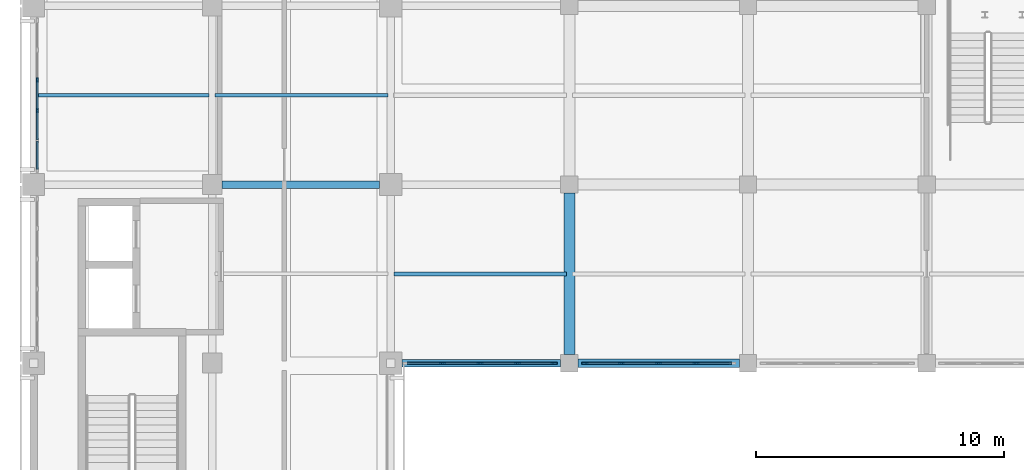
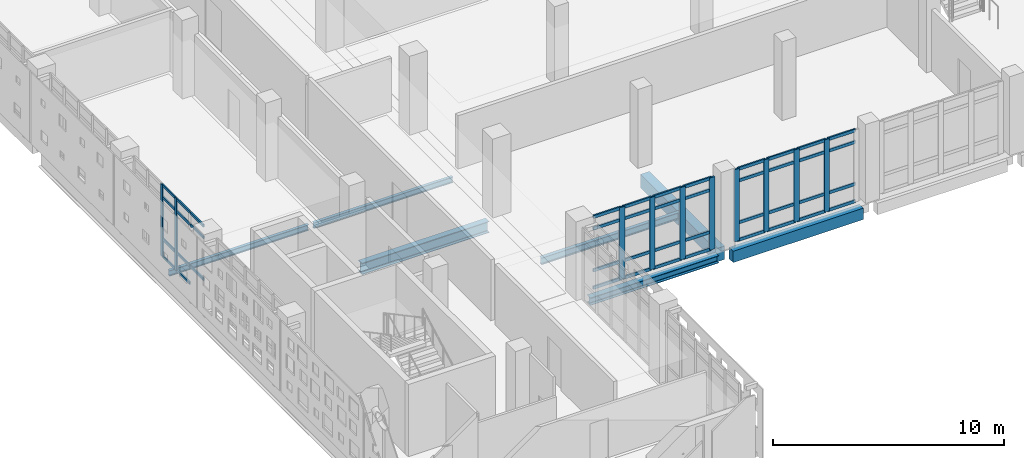
# One storey, part 6 of 57: 53 members, 7 beams, 3 elements without a shape of their own.
"""IFC4 building model written with IfcOpenShell, lengths in metres."""

from ifc_helpers import new_model, si_unit, direction, frame, origin, origin_2d, place, context, subcontext, project, spatial, rectangle, i_section, extrude, material, layer, layer_set, material_profile, profile_set, type_object, element, aggregate, save


model = new_model("IFC4")

# Units and contexts
model_context = context("Model", 3, precision=1e-05, world=origin(), true_north=direction((0.0, 1.0)))
body_context = subcontext(model_context, "Body", "Model", "MODEL_VIEW")
ifc_project = project(units=[si_unit("LENGTHUNIT", "METRE"), si_unit("AREAUNIT", "SQUARE_METRE"), si_unit("VOLUMEUNIT", "CUBIC_METRE"), si_unit("PLANEANGLEUNIT", "RADIAN"), si_unit("MASSUNIT", "GRAM", prefix="KILO")], contexts=[model_context])

# Site, building, storey
site_placement = place(None, origin())
site = spatial("IfcSite", under=ifc_project, at=site_placement, CompositionType="ELEMENT")
building_placement = place(site_placement, origin())
building = spatial("IfcBuilding", under=site, at=building_placement, Name="Valkovuoma Quantum and Materials Research Institute", CompositionType="ELEMENT")
storey_placement = place(building_placement, frame((0.0, 0.0, 4.800048828125)))
storey = spatial("IfcBuildingStorey", under=building, at=storey_placement, Name="L01", CompositionType="ELEMENT", Elevation=4.800048828125)

# Beams
ifc_material_1 = material(Name="Steel S355J2", Category="steel")
ifc_material_profile_1 = material_profile(ifc_material_1, i_section(OverallWidth=0.300048828125, OverallDepth=0.389892578125, WebThickness=0.010986328125, FlangeThickness=0.01904296875, FilletRadius=0.027099609375, at=origin_2d()), Name="Steel S355J2")
ifc_profile_set_1 = profile_set([ifc_material_profile_1], Name="Steel S355J2")
beam_type_1 = type_object("IfcBeamType", Name="Beam-B-HEA400", PredefinedType="SPANDREL", material=ifc_profile_set_1)
beam_1_placement = place(storey_placement, frame((14.85009765625, 36.0, -0.545166015625), z_axis=(1.0, 0.0, 0.0), x_axis=(0.0, 1.0, 0.0)))
element("IfcBeam", 1, at=beam_1_placement, inside=storey, type_object=beam_type_1, Name="L01 beam X-0564", PredefinedType="SPANDREL", context=body_context, shape_type="SweptSolid", body=[
    extrude(i_section(OverallWidth=0.300048828125, OverallDepth=0.389892578125, WebThickness=0.010986328125, FlangeThickness=0.01904296875, FilletRadius=0.027099609375, at=origin_2d()), origin(), (0.0, 0.0, 1.0), 6.39990234375),
])
ifc_material_2 = material(Name="Steel S355J2", Category="steel")
ifc_material_profile_2 = material_profile(ifc_material_2, i_section(OverallWidth=0.300048828125, OverallDepth=0.60009765625, WebThickness=0.015380859375, FlangeThickness=0.030029296875, FilletRadius=0.027099609375, at=origin_2d()), Name="Steel S355J2")
ifc_profile_set_2 = profile_set([ifc_material_profile_2], Name="Steel S355J2")
beam_type_2 = type_object("IfcBeamType", Name="Beam-B-HEB600", PredefinedType="BEAM", material=ifc_profile_set_2)
beam_2_placement = place(storey_placement, frame((7.60009765625, 43.199951171875, -0.650146484375), z_axis=(1.0, 0.0, 0.0), x_axis=(0.0, 1.0, 0.0)))
element("IfcBeam", 2, at=beam_2_placement, inside=storey, type_object=beam_type_2, Name="L01 beam X-0586", PredefinedType="BEAM", context=body_context, shape_type="SweptSolid", body=[
    extrude(i_section(OverallWidth=0.300048828125, OverallDepth=0.60009765625, WebThickness=0.015380859375, FlangeThickness=0.030029296875, FilletRadius=0.027099609375, at=origin_2d()), origin(), (0.0, 0.0, 1.0), 6.349853515625),
])
ifc_material_3 = material(Name="Steel S355J2", Category="steel")
ifc_material_profile_3 = material_profile(ifc_material_3, i_section(OverallWidth=0.14990234375, OverallDepth=0.300048828125, WebThickness=0.007080078125, FlangeThickness=0.0107421875, FilletRadius=0.014892578125, at=origin_2d()), Name="Steel S355J2")
ifc_profile_set_3 = profile_set([ifc_material_profile_3], Name="Steel S355J2")
beam_type_3 = type_object("IfcBeamType", Name="Beam-B-JST300", PredefinedType="JOIST", material=ifc_profile_set_3)
for number, where, z_axis, x_axis, name in (
    (3, (0.1201171875, 46.800048828125, -0.5), (1.0, 0.0, 0.0), (0.0, 1.0, 0.0), "L01 floor joist 0882"),
    (4, (7.320068359375, 46.800048828125, -0.5), (1.0, 0.0, 0.0), (0.0, 1.0, 0.0), "L01 floor joist 0883"),
):
    element("IfcBeam", number, at=place(storey_placement, frame(where, z_axis=z_axis, x_axis=x_axis)), inside=storey, type_object=beam_type_3, Name=name, PredefinedType="JOIST", context=body_context, shape_type="SweptSolid", body=[
        extrude(i_section(OverallWidth=0.14990234375, OverallDepth=0.300048828125, WebThickness=0.007080078125, FlangeThickness=0.0107421875, FilletRadius=0.014892578125, at=origin_2d()), origin(), (0.0, 0.0, 1.0), 6.9599609375),
    ])
ifc_material_4 = material(Name="Steel S355J2", Category="steel")
ifc_material_profile_4 = material_profile(ifc_material_4, i_section(OverallWidth=0.169921875, OverallDepth=0.360107421875, WebThickness=0.008056640625, FlangeThickness=0.0126953125, FilletRadius=0.01806640625, at=origin_2d()), Name="Steel S355J2")
ifc_profile_set_4 = profile_set([ifc_material_profile_4], Name="Steel S355J2")
beam_type_4 = type_object("IfcBeamType", Name="Beam-B-JST360", PredefinedType="JOIST", material=ifc_profile_set_4)
beam_3_placement = place(storey_placement, frame((14.52001953125, 39.60009765625, -0.530029296875), z_axis=(1.0, 0.0, 0.0), x_axis=(0.0, 1.0, 0.0)))
element("IfcBeam", 5, at=beam_3_placement, inside=storey, type_object=beam_type_4, Name="L01 floor joist 0872", PredefinedType="JOIST", context=body_context, shape_type="SweptSolid", body=[
    extrude(i_section(OverallWidth=0.169921875, OverallDepth=0.360107421875, WebThickness=0.008056640625, FlangeThickness=0.0126953125, FilletRadius=0.01806640625, at=origin_2d()), origin(), (0.0, 0.0, 1.0), 6.9599609375),
])
ifc_material_5 = material(Name="Concrete C40/50", Category="concrete")
ifc_material_profile_5 = material_profile(ifc_material_5, rectangle(XDim=0.449951171875, YDim=0.699951171875, at=origin_2d()), Name="Concrete C40/50")
ifc_profile_set_5 = profile_set([ifc_material_profile_5], Name="Concrete C40/50")
beam_type_5 = type_object("IfcBeamType", Name="Beam-B-RC700", PredefinedType="BEAM", material=ifc_profile_set_5)
beam_4_placement = place(storey_placement, frame((21.60009765625, 36.35009765625, -0.699951171875), z_axis=(0.0, 1.0, 0.0), x_axis=(-1.0, 0.0, 0.0)))
element("IfcBeam", 6, at=beam_4_placement, inside=storey, type_object=beam_type_5, Name="L01 beam Y-0731", PredefinedType="BEAM", context=body_context, shape_type="SweptSolid", body=[
    extrude(rectangle(XDim=0.449951171875, YDim=0.699951171875, at=origin_2d()), origin(), (0.0, 0.0, 1.0), 6.5),
])
ifc_material_6 = material(Name="Concrete C40/50", Category="concrete")
ifc_material_profile_6 = material_profile(ifc_material_6, rectangle(XDim=0.35009765625, YDim=0.60009765625, at=origin_2d()), Name="Concrete C40/50")
ifc_profile_set_6 = profile_set([ifc_material_profile_6], Name="Concrete C40/50")
beam_type_6 = type_object("IfcBeamType", Name="Beam-B-SPN600", PredefinedType="SPANDREL", material=ifc_profile_set_6)
beam_5_placement = place(storey_placement, frame((21.949951171875, 36.0, -0.650146484375), z_axis=(1.0, 0.0, 0.0), x_axis=(0.0, 1.0, 0.0)))
element("IfcBeam", 7, at=beam_5_placement, inside=storey, type_object=beam_type_6, Name="L01 beam X-0565", PredefinedType="SPANDREL", context=body_context, shape_type="SweptSolid", body=[
    extrude(rectangle(XDim=0.35009765625, YDim=0.60009765625, at=origin_2d()), origin(), (0.0, 0.0, 1.0), 6.5),
])

# Curtain wall, members
ifc_material_7 = material(Name="Thermally broken aluminium and triple low-E glazing", Category="aluminium")
ifc_layer_1 = layer(ifc_material_7, 0.219970703125)
ifc_layer_set_1 = layer_set([ifc_layer_1], Name="Thermally broken aluminium and triple low-E glazing")
curtain_wall_type_1 = type_object("IfcCurtainWallType", Name="CW-CW-01", PredefinedType="NOTDEFINED", material=ifc_layer_set_1)
curtain_wall_1_placement = place(storey_placement, origin())
curtain_wall_1 = element("IfcCurtainWall", 8, at=curtain_wall_1_placement, inside=storey, type_object=curtain_wall_type_1, Name="L01 curtain wall 012", PredefinedType="NOTDEFINED")
ifc_material_8 = material(Name="Anodised aluminium 6060-T66", Category="aluminium")
ifc_material_profile_7 = material_profile(ifc_material_8, rectangle(XDim=0.06494140625, YDim=0.179931640625, at=origin_2d()), Name="Anodised aluminium 6060-T66")
ifc_profile_set_7 = profile_set([ifc_material_profile_7], Name="Anodised aluminium 6060-T66")
member_type_1 = type_object("IfcMemberType", Name="CWMull-CWM-01", PredefinedType="MULLION", material=ifc_profile_set_7)
member_1_placement = place(storey_placement, frame((0.14990234375, 46.19140625, 0.0), z_axis=(0.0, 0.0, 1.0), x_axis=(-1.0, 0.0, 0.0)))
member_1 = element("IfcMember", 9, at=member_1_placement, type_object=member_type_1, Name="CW-01 mullion 3", PredefinedType="MULLION", context=body_context, shape_type="SweptSolid", body=[
    extrude(rectangle(XDim=0.06494140625, YDim=0.179931640625, at=origin_2d()), origin(), (0.0, 0.0, 1.0), 3.81005859375),
])
member_2_placement = place(storey_placement, frame((0.14990234375, 47.40869140625, 0.0), z_axis=(0.0, 0.0, 1.0), x_axis=(-1.0, 0.0, 0.0)))
member_2 = element("IfcMember", 10, at=member_2_placement, type_object=member_type_1, Name="CW-01 mullion 4", PredefinedType="MULLION", context=body_context, shape_type="SweptSolid", body=[
    extrude(rectangle(XDim=0.06494140625, YDim=0.179931640625, at=origin_2d()), origin(), (0.0, 0.0, 1.0), 3.81005859375),
])

ifc_material_9 = material(Name="Thermally broken aluminium and triple low-E glazing", Category="aluminium")
ifc_layer_2 = layer(ifc_material_9, 0.219970703125)
ifc_layer_set_2 = layer_set([ifc_layer_2], Name="Thermally broken aluminium and triple low-E glazing")
curtain_wall_type_2 = type_object("IfcCurtainWallType", Name="CW-CW-02", PredefinedType="NOTDEFINED", material=ifc_layer_set_2)
curtain_wall_2_placement = place(storey_placement, origin())
curtain_wall_2 = element("IfcCurtainWall", 11, at=curtain_wall_2_placement, inside=storey, type_object=curtain_wall_type_2, Name="L01 curtain wall 159", PredefinedType="NOTDEFINED")
ifc_material_10 = material(Name="Anodised aluminium 6060-T66", Category="aluminium")
ifc_material_profile_8 = material_profile(ifc_material_10, rectangle(XDim=0.080078125, YDim=0.260009765625, at=origin_2d()), Name="Anodised aluminium 6060-T66")
ifc_profile_set_8 = profile_set([ifc_material_profile_8], Name="Anodised aluminium 6060-T66")
member_type_2 = type_object("IfcMemberType", Name="CWMull-CWM-03", PredefinedType="MULLION", material=ifc_profile_set_8)
member_3_placement = place(storey_placement, frame((16.489990234375, 36.0, 0.0), z_axis=(0.0, 0.0, 1.0), x_axis=(0.0, 1.0, 0.0)))
member_3 = element("IfcMember", 12, at=member_3_placement, type_object=member_type_2, Name="CW-02 mullion 2", PredefinedType="MULLION", context=body_context, shape_type="SweptSolid", body=[
    extrude(rectangle(XDim=0.080078125, YDim=0.260009765625, at=origin_2d()), origin(), (0.0, 0.0, 1.0), 3.81005859375),
])
member_4_placement = place(storey_placement, frame((18.0, 36.0, 0.0), z_axis=(0.0, 0.0, 1.0), x_axis=(0.0, 1.0, 0.0)))
member_4 = element("IfcMember", 13, at=member_4_placement, type_object=member_type_2, Name="CW-02 mullion 3", PredefinedType="MULLION", context=body_context, shape_type="SweptSolid", body=[
    extrude(rectangle(XDim=0.080078125, YDim=0.260009765625, at=origin_2d()), origin(), (0.0, 0.0, 1.0), 3.81005859375),
])
member_5_placement = place(storey_placement, frame((19.510009765625, 36.0, 0.0), z_axis=(0.0, 0.0, 1.0), x_axis=(0.0, 1.0, 0.0)))
member_5 = element("IfcMember", 14, at=member_5_placement, type_object=member_type_2, Name="CW-02 mullion 4", PredefinedType="MULLION", context=body_context, shape_type="SweptSolid", body=[
    extrude(rectangle(XDim=0.080078125, YDim=0.260009765625, at=origin_2d()), origin(), (0.0, 0.0, 1.0), 3.81005859375),
])
member_6_placement = place(storey_placement, frame((20.97998046875, 36.0, 0.0), z_axis=(0.0, 0.0, 1.0), x_axis=(0.0, 1.0, 0.0)))
member_6 = element("IfcMember", 15, at=member_6_placement, type_object=member_type_2, Name="CW-02 mullion 5", PredefinedType="MULLION", context=body_context, shape_type="SweptSolid", body=[
    extrude(rectangle(XDim=0.080078125, YDim=0.260009765625, at=origin_2d()), origin(), (0.0, 0.0, 1.0), 3.81005859375),
])

curtain_wall_3_placement = place(storey_placement, origin())
curtain_wall_3 = element("IfcCurtainWall", 16, at=curtain_wall_3_placement, inside=storey, type_object=curtain_wall_type_2, Name="L01 curtain wall 160", PredefinedType="NOTDEFINED")
member_7_placement = place(storey_placement, frame((22.219970703125, 36.0, 0.0), z_axis=(0.0, 0.0, 1.0), x_axis=(0.0, 1.0, 0.0)))
member_7 = element("IfcMember", 17, at=member_7_placement, type_object=member_type_2, Name="CW-02 mullion 1", PredefinedType="MULLION", context=body_context, shape_type="SweptSolid", body=[
    extrude(rectangle(XDim=0.080078125, YDim=0.260009765625, at=origin_2d()), origin(), (0.0, 0.0, 1.0), 3.81005859375),
])
member_8_placement = place(storey_placement, frame((23.68994140625, 36.0, 0.0), z_axis=(0.0, 0.0, 1.0), x_axis=(0.0, 1.0, 0.0)))
member_8 = element("IfcMember", 18, at=member_8_placement, type_object=member_type_2, Name="CW-02 mullion 2", PredefinedType="MULLION", context=body_context, shape_type="SweptSolid", body=[
    extrude(rectangle(XDim=0.080078125, YDim=0.260009765625, at=origin_2d()), origin(), (0.0, 0.0, 1.0), 3.81005859375),
])
member_9_placement = place(storey_placement, frame((25.199951171875, 36.0, 0.0), z_axis=(0.0, 0.0, 1.0), x_axis=(0.0, 1.0, 0.0)))
member_9 = element("IfcMember", 19, at=member_9_placement, type_object=member_type_2, Name="CW-02 mullion 3", PredefinedType="MULLION", context=body_context, shape_type="SweptSolid", body=[
    extrude(rectangle(XDim=0.080078125, YDim=0.260009765625, at=origin_2d()), origin(), (0.0, 0.0, 1.0), 3.81005859375),
])
member_10_placement = place(storey_placement, frame((26.7099609375, 36.0, 0.0), z_axis=(0.0, 0.0, 1.0), x_axis=(0.0, 1.0, 0.0)))
member_10 = element("IfcMember", 20, at=member_10_placement, type_object=member_type_2, Name="CW-02 mullion 4", PredefinedType="MULLION", context=body_context, shape_type="SweptSolid", body=[
    extrude(rectangle(XDim=0.080078125, YDim=0.260009765625, at=origin_2d()), origin(), (0.0, 0.0, 1.0), 3.81005859375),
])

# Member
ifc_material_11 = material(Name="Anodised aluminium 6060-T66", Category="aluminium")
ifc_material_profile_9 = material_profile(ifc_material_11, rectangle(XDim=0.06494140625, YDim=0.139892578125, at=origin_2d()), Name="Anodised aluminium 6060-T66")
ifc_profile_set_9 = profile_set([ifc_material_profile_9], Name="Anodised aluminium 6060-T66")
member_type_3 = type_object("IfcMemberType", Name="CWTran-CWT-01", PredefinedType="USERDEFINED", material=ifc_profile_set_9)
member_11_placement = place(storey_placement, frame((0.14990234375, 43.822021484375, 0.949951171875), z_axis=(0.0, 1.0, 0.0), x_axis=(-1.0, 0.0, 0.0)))
member_11 = element("IfcMember", 21, at=member_11_placement, type_object=member_type_3, Name="CW-01 transom 1.2", ObjectType="TRANSOM", PredefinedType="USERDEFINED", context=body_context, shape_type="SweptSolid", body=[
    extrude(rectangle(XDim=0.06494140625, YDim=0.139892578125, at=origin_2d()), origin(), (0.0, 0.0, 1.0), 1.11962890625),
])

member_12_placement = place(storey_placement, frame((0.14990234375, 43.822021484375, 3.159912109375), z_axis=(0.0, 1.0, 0.0), x_axis=(-1.0, 0.0, 0.0)))
member_12 = element("IfcMember", 22, at=member_12_placement, type_object=member_type_3, Name="CW-01 transom 1.3", ObjectType="TRANSOM", PredefinedType="USERDEFINED", context=body_context, shape_type="SweptSolid", body=[
    extrude(rectangle(XDim=0.06494140625, YDim=0.139892578125, at=origin_2d()), origin(), (0.0, 0.0, 1.0), 1.11962890625),
])

member_13_placement = place(storey_placement, frame((0.14990234375, 43.822021484375, 3.77734375), z_axis=(0.0, 1.0, 0.0), x_axis=(-1.0, 0.0, 0.0)))
member_13 = element("IfcMember", 23, at=member_13_placement, type_object=member_type_3, Name="CW-01 transom 1.4", ObjectType="TRANSOM", PredefinedType="USERDEFINED", context=body_context, shape_type="SweptSolid", body=[
    extrude(rectangle(XDim=0.06494140625, YDim=0.139892578125, at=origin_2d()), origin(), (0.0, 0.0, 1.0), 1.11962890625),
])

member_14_placement = place(storey_placement, frame((0.14990234375, 45.0068359375, 0.032470703125), z_axis=(0.0, 1.0, 0.0), x_axis=(-1.0, 0.0, 0.0)))
member_14 = element("IfcMember", 24, at=member_14_placement, type_object=member_type_3, Name="CW-01 transom 2.1", ObjectType="TRANSOM", PredefinedType="USERDEFINED", context=body_context, shape_type="SweptSolid", body=[
    extrude(rectangle(XDim=0.06494140625, YDim=0.139892578125, at=origin_2d()), origin(), (0.0, 0.0, 1.0), 1.152099609375),
])

member_15_placement = place(storey_placement, frame((0.14990234375, 45.0068359375, 0.949951171875), z_axis=(0.0, 1.0, 0.0), x_axis=(-1.0, 0.0, 0.0)))
member_15 = element("IfcMember", 25, at=member_15_placement, type_object=member_type_3, Name="CW-01 transom 2.2", ObjectType="TRANSOM", PredefinedType="USERDEFINED", context=body_context, shape_type="SweptSolid", body=[
    extrude(rectangle(XDim=0.06494140625, YDim=0.139892578125, at=origin_2d()), origin(), (0.0, 0.0, 1.0), 1.152099609375),
])

member_16_placement = place(storey_placement, frame((0.14990234375, 45.0068359375, 3.159912109375), z_axis=(0.0, 1.0, 0.0), x_axis=(-1.0, 0.0, 0.0)))
member_16 = element("IfcMember", 26, at=member_16_placement, type_object=member_type_3, Name="CW-01 transom 2.3", ObjectType="TRANSOM", PredefinedType="USERDEFINED", context=body_context, shape_type="SweptSolid", body=[
    extrude(rectangle(XDim=0.06494140625, YDim=0.139892578125, at=origin_2d()), origin(), (0.0, 0.0, 1.0), 1.152099609375),
])

member_17_placement = place(storey_placement, frame((0.14990234375, 45.0068359375, 3.77734375), z_axis=(0.0, 1.0, 0.0), x_axis=(-1.0, 0.0, 0.0)))
member_17 = element("IfcMember", 27, at=member_17_placement, type_object=member_type_3, Name="CW-01 transom 2.4", ObjectType="TRANSOM", PredefinedType="USERDEFINED", context=body_context, shape_type="SweptSolid", body=[
    extrude(rectangle(XDim=0.06494140625, YDim=0.139892578125, at=origin_2d()), origin(), (0.0, 0.0, 1.0), 1.152099609375),
])

member_18_placement = place(storey_placement, frame((0.14990234375, 46.223876953125, 0.032470703125), z_axis=(0.0, 1.0, 0.0), x_axis=(-1.0, 0.0, 0.0)))
member_18 = element("IfcMember", 28, at=member_18_placement, type_object=member_type_3, Name="CW-01 transom 3.1", ObjectType="TRANSOM", PredefinedType="USERDEFINED", context=body_context, shape_type="SweptSolid", body=[
    extrude(rectangle(XDim=0.06494140625, YDim=0.139892578125, at=origin_2d()), origin(), (0.0, 0.0, 1.0), 1.152099609375),
])

member_19_placement = place(storey_placement, frame((0.14990234375, 46.223876953125, 0.949951171875), z_axis=(0.0, 1.0, 0.0), x_axis=(-1.0, 0.0, 0.0)))
member_19 = element("IfcMember", 29, at=member_19_placement, type_object=member_type_3, Name="CW-01 transom 3.2", ObjectType="TRANSOM", PredefinedType="USERDEFINED", context=body_context, shape_type="SweptSolid", body=[
    extrude(rectangle(XDim=0.06494140625, YDim=0.139892578125, at=origin_2d()), origin(), (0.0, 0.0, 1.0), 1.152099609375),
])

member_20_placement = place(storey_placement, frame((0.14990234375, 46.223876953125, 3.159912109375), z_axis=(0.0, 1.0, 0.0), x_axis=(-1.0, 0.0, 0.0)))
member_20 = element("IfcMember", 30, at=member_20_placement, type_object=member_type_3, Name="CW-01 transom 3.3", ObjectType="TRANSOM", PredefinedType="USERDEFINED", context=body_context, shape_type="SweptSolid", body=[
    extrude(rectangle(XDim=0.06494140625, YDim=0.139892578125, at=origin_2d()), origin(), (0.0, 0.0, 1.0), 1.152099609375),
])

member_21_placement = place(storey_placement, frame((0.14990234375, 46.223876953125, 3.77734375), z_axis=(0.0, 1.0, 0.0), x_axis=(-1.0, 0.0, 0.0)))
member_21 = element("IfcMember", 31, at=member_21_placement, type_object=member_type_3, Name="CW-01 transom 3.4", ObjectType="TRANSOM", PredefinedType="USERDEFINED", context=body_context, shape_type="SweptSolid", body=[
    extrude(rectangle(XDim=0.06494140625, YDim=0.139892578125, at=origin_2d()), origin(), (0.0, 0.0, 1.0), 1.152099609375),
])

aggregate(curtain_wall_1, [member_1, member_2, member_11, member_12, member_13, member_14, member_15, member_16, member_17, member_18, member_19, member_20, member_21])

ifc_material_12 = material(Name="Anodised aluminium 6060-T66", Category="aluminium")
ifc_material_profile_10 = material_profile(ifc_material_12, rectangle(XDim=0.074951171875, YDim=0.159912109375, at=origin_2d()), Name="Anodised aluminium 6060-T66")
ifc_profile_set_10 = profile_set([ifc_material_profile_10], Name="Anodised aluminium 6060-T66")
member_type_4 = type_object("IfcMemberType", Name="CWTran-CWT-02", PredefinedType="USERDEFINED", material=ifc_profile_set_10)
member_22_placement = place(storey_placement, frame((15.06005859375, 36.0, 0.037353515625), z_axis=(1.0, 0.0, 0.0), x_axis=(0.0, 1.0, 0.0)))
member_22 = element("IfcMember", 32, at=member_22_placement, type_object=member_type_4, Name="CW-02 transom 1.1", ObjectType="TRANSOM", PredefinedType="USERDEFINED", context=body_context, shape_type="SweptSolid", body=[
    extrude(rectangle(XDim=0.074951171875, YDim=0.159912109375, at=origin_2d()), origin(), (0.0, 0.0, 1.0), 1.389892578125),
])

member_23_placement = place(storey_placement, frame((15.06005859375, 36.0, 0.949951171875), z_axis=(1.0, 0.0, 0.0), x_axis=(0.0, 1.0, 0.0)))
member_23 = element("IfcMember", 33, at=member_23_placement, type_object=member_type_4, Name="CW-02 transom 1.2", ObjectType="TRANSOM", PredefinedType="USERDEFINED", context=body_context, shape_type="SweptSolid", body=[
    extrude(rectangle(XDim=0.074951171875, YDim=0.159912109375, at=origin_2d()), origin(), (0.0, 0.0, 1.0), 1.389892578125),
])

member_24_placement = place(storey_placement, frame((15.06005859375, 36.0, 3.159912109375), z_axis=(1.0, 0.0, 0.0), x_axis=(0.0, 1.0, 0.0)))
member_24 = element("IfcMember", 34, at=member_24_placement, type_object=member_type_4, Name="CW-02 transom 1.3", ObjectType="TRANSOM", PredefinedType="USERDEFINED", context=body_context, shape_type="SweptSolid", body=[
    extrude(rectangle(XDim=0.074951171875, YDim=0.159912109375, at=origin_2d()), origin(), (0.0, 0.0, 1.0), 1.389892578125),
])

member_25_placement = place(storey_placement, frame((15.06005859375, 36.0, 3.7724609375), z_axis=(1.0, 0.0, 0.0), x_axis=(0.0, 1.0, 0.0)))
member_25 = element("IfcMember", 35, at=member_25_placement, type_object=member_type_4, Name="CW-02 transom 1.4", ObjectType="TRANSOM", PredefinedType="USERDEFINED", context=body_context, shape_type="SweptSolid", body=[
    extrude(rectangle(XDim=0.074951171875, YDim=0.159912109375, at=origin_2d()), origin(), (0.0, 0.0, 1.0), 1.389892578125),
])

member_26_placement = place(storey_placement, frame((16.530029296875, 36.0, 0.037353515625), z_axis=(1.0, 0.0, 0.0), x_axis=(0.0, 1.0, 0.0)))
member_26 = element("IfcMember", 36, at=member_26_placement, type_object=member_type_4, Name="CW-02 transom 2.1", ObjectType="TRANSOM", PredefinedType="USERDEFINED", context=body_context, shape_type="SweptSolid", body=[
    extrude(rectangle(XDim=0.074951171875, YDim=0.159912109375, at=origin_2d()), origin(), (0.0, 0.0, 1.0), 1.429931640625),
])

member_27_placement = place(storey_placement, frame((16.530029296875, 36.0, 0.949951171875), z_axis=(1.0, 0.0, 0.0), x_axis=(0.0, 1.0, 0.0)))
member_27 = element("IfcMember", 37, at=member_27_placement, type_object=member_type_4, Name="CW-02 transom 2.2", ObjectType="TRANSOM", PredefinedType="USERDEFINED", context=body_context, shape_type="SweptSolid", body=[
    extrude(rectangle(XDim=0.074951171875, YDim=0.159912109375, at=origin_2d()), origin(), (0.0, 0.0, 1.0), 1.429931640625),
])

member_28_placement = place(storey_placement, frame((16.530029296875, 36.0, 3.159912109375), z_axis=(1.0, 0.0, 0.0), x_axis=(0.0, 1.0, 0.0)))
member_28 = element("IfcMember", 38, at=member_28_placement, type_object=member_type_4, Name="CW-02 transom 2.3", ObjectType="TRANSOM", PredefinedType="USERDEFINED", context=body_context, shape_type="SweptSolid", body=[
    extrude(rectangle(XDim=0.074951171875, YDim=0.159912109375, at=origin_2d()), origin(), (0.0, 0.0, 1.0), 1.429931640625),
])

member_29_placement = place(storey_placement, frame((16.530029296875, 36.0, 3.7724609375), z_axis=(1.0, 0.0, 0.0), x_axis=(0.0, 1.0, 0.0)))
member_29 = element("IfcMember", 39, at=member_29_placement, type_object=member_type_4, Name="CW-02 transom 2.4", ObjectType="TRANSOM", PredefinedType="USERDEFINED", context=body_context, shape_type="SweptSolid", body=[
    extrude(rectangle(XDim=0.074951171875, YDim=0.159912109375, at=origin_2d()), origin(), (0.0, 0.0, 1.0), 1.429931640625),
])

member_30_placement = place(storey_placement, frame((18.0400390625, 36.0, 0.037353515625), z_axis=(1.0, 0.0, 0.0), x_axis=(0.0, 1.0, 0.0)))
member_30 = element("IfcMember", 40, at=member_30_placement, type_object=member_type_4, Name="CW-02 transom 3.1", ObjectType="TRANSOM", PredefinedType="USERDEFINED", context=body_context, shape_type="SweptSolid", body=[
    extrude(rectangle(XDim=0.074951171875, YDim=0.159912109375, at=origin_2d()), origin(), (0.0, 0.0, 1.0), 1.429931640625),
])

member_31_placement = place(storey_placement, frame((18.0400390625, 36.0, 0.949951171875), z_axis=(1.0, 0.0, 0.0), x_axis=(0.0, 1.0, 0.0)))
member_31 = element("IfcMember", 41, at=member_31_placement, type_object=member_type_4, Name="CW-02 transom 3.2", ObjectType="TRANSOM", PredefinedType="USERDEFINED", context=body_context, shape_type="SweptSolid", body=[
    extrude(rectangle(XDim=0.074951171875, YDim=0.159912109375, at=origin_2d()), origin(), (0.0, 0.0, 1.0), 1.429931640625),
])

member_32_placement = place(storey_placement, frame((18.0400390625, 36.0, 3.159912109375), z_axis=(1.0, 0.0, 0.0), x_axis=(0.0, 1.0, 0.0)))
member_32 = element("IfcMember", 42, at=member_32_placement, type_object=member_type_4, Name="CW-02 transom 3.3", ObjectType="TRANSOM", PredefinedType="USERDEFINED", context=body_context, shape_type="SweptSolid", body=[
    extrude(rectangle(XDim=0.074951171875, YDim=0.159912109375, at=origin_2d()), origin(), (0.0, 0.0, 1.0), 1.429931640625),
])

member_33_placement = place(storey_placement, frame((18.0400390625, 36.0, 3.7724609375), z_axis=(1.0, 0.0, 0.0), x_axis=(0.0, 1.0, 0.0)))
member_33 = element("IfcMember", 43, at=member_33_placement, type_object=member_type_4, Name="CW-02 transom 3.4", ObjectType="TRANSOM", PredefinedType="USERDEFINED", context=body_context, shape_type="SweptSolid", body=[
    extrude(rectangle(XDim=0.074951171875, YDim=0.159912109375, at=origin_2d()), origin(), (0.0, 0.0, 1.0), 1.429931640625),
])

member_34_placement = place(storey_placement, frame((19.550048828125, 36.0, 0.037353515625), z_axis=(1.0, 0.0, 0.0), x_axis=(0.0, 1.0, 0.0)))
member_34 = element("IfcMember", 44, at=member_34_placement, type_object=member_type_4, Name="CW-02 transom 4.1", ObjectType="TRANSOM", PredefinedType="USERDEFINED", context=body_context, shape_type="SweptSolid", body=[
    extrude(rectangle(XDim=0.074951171875, YDim=0.159912109375, at=origin_2d()), origin(), (0.0, 0.0, 1.0), 1.389892578125),
])

member_35_placement = place(storey_placement, frame((19.550048828125, 36.0, 0.949951171875), z_axis=(1.0, 0.0, 0.0), x_axis=(0.0, 1.0, 0.0)))
member_35 = element("IfcMember", 45, at=member_35_placement, type_object=member_type_4, Name="CW-02 transom 4.2", ObjectType="TRANSOM", PredefinedType="USERDEFINED", context=body_context, shape_type="SweptSolid", body=[
    extrude(rectangle(XDim=0.074951171875, YDim=0.159912109375, at=origin_2d()), origin(), (0.0, 0.0, 1.0), 1.389892578125),
])

member_36_placement = place(storey_placement, frame((19.550048828125, 36.0, 3.159912109375), z_axis=(1.0, 0.0, 0.0), x_axis=(0.0, 1.0, 0.0)))
member_36 = element("IfcMember", 46, at=member_36_placement, type_object=member_type_4, Name="CW-02 transom 4.3", ObjectType="TRANSOM", PredefinedType="USERDEFINED", context=body_context, shape_type="SweptSolid", body=[
    extrude(rectangle(XDim=0.074951171875, YDim=0.159912109375, at=origin_2d()), origin(), (0.0, 0.0, 1.0), 1.389892578125),
])

member_37_placement = place(storey_placement, frame((19.550048828125, 36.0, 3.7724609375), z_axis=(1.0, 0.0, 0.0), x_axis=(0.0, 1.0, 0.0)))
member_37 = element("IfcMember", 47, at=member_37_placement, type_object=member_type_4, Name="CW-02 transom 4.4", ObjectType="TRANSOM", PredefinedType="USERDEFINED", context=body_context, shape_type="SweptSolid", body=[
    extrude(rectangle(XDim=0.074951171875, YDim=0.159912109375, at=origin_2d()), origin(), (0.0, 0.0, 1.0), 1.389892578125),
])

aggregate(curtain_wall_2, [member_3, member_4, member_5, member_6, member_22, member_23, member_24, member_25, member_26, member_27, member_28, member_29, member_30, member_31, member_32, member_33, member_34, member_35, member_36, member_37])

member_38_placement = place(storey_placement, frame((22.260009765625, 36.0, 0.037353515625), z_axis=(1.0, 0.0, 0.0), x_axis=(0.0, 1.0, 0.0)))
member_38 = element("IfcMember", 48, at=member_38_placement, type_object=member_type_4, Name="CW-02 transom 1.1", ObjectType="TRANSOM", PredefinedType="USERDEFINED", context=body_context, shape_type="SweptSolid", body=[
    extrude(rectangle(XDim=0.074951171875, YDim=0.159912109375, at=origin_2d()), origin(), (0.0, 0.0, 1.0), 1.389892578125),
])

member_39_placement = place(storey_placement, frame((22.260009765625, 36.0, 0.949951171875), z_axis=(1.0, 0.0, 0.0), x_axis=(0.0, 1.0, 0.0)))
member_39 = element("IfcMember", 49, at=member_39_placement, type_object=member_type_4, Name="CW-02 transom 1.2", ObjectType="TRANSOM", PredefinedType="USERDEFINED", context=body_context, shape_type="SweptSolid", body=[
    extrude(rectangle(XDim=0.074951171875, YDim=0.159912109375, at=origin_2d()), origin(), (0.0, 0.0, 1.0), 1.389892578125),
])

member_40_placement = place(storey_placement, frame((22.260009765625, 36.0, 3.159912109375), z_axis=(1.0, 0.0, 0.0), x_axis=(0.0, 1.0, 0.0)))
member_40 = element("IfcMember", 50, at=member_40_placement, type_object=member_type_4, Name="CW-02 transom 1.3", ObjectType="TRANSOM", PredefinedType="USERDEFINED", context=body_context, shape_type="SweptSolid", body=[
    extrude(rectangle(XDim=0.074951171875, YDim=0.159912109375, at=origin_2d()), origin(), (0.0, 0.0, 1.0), 1.389892578125),
])

member_41_placement = place(storey_placement, frame((22.260009765625, 36.0, 3.7724609375), z_axis=(1.0, 0.0, 0.0), x_axis=(0.0, 1.0, 0.0)))
member_41 = element("IfcMember", 51, at=member_41_placement, type_object=member_type_4, Name="CW-02 transom 1.4", ObjectType="TRANSOM", PredefinedType="USERDEFINED", context=body_context, shape_type="SweptSolid", body=[
    extrude(rectangle(XDim=0.074951171875, YDim=0.159912109375, at=origin_2d()), origin(), (0.0, 0.0, 1.0), 1.389892578125),
])

member_42_placement = place(storey_placement, frame((23.72998046875, 36.0, 0.037353515625), z_axis=(1.0, 0.0, 0.0), x_axis=(0.0, 1.0, 0.0)))
member_42 = element("IfcMember", 52, at=member_42_placement, type_object=member_type_4, Name="CW-02 transom 2.1", ObjectType="TRANSOM", PredefinedType="USERDEFINED", context=body_context, shape_type="SweptSolid", body=[
    extrude(rectangle(XDim=0.074951171875, YDim=0.159912109375, at=origin_2d()), origin(), (0.0, 0.0, 1.0), 1.429931640625),
])

member_43_placement = place(storey_placement, frame((23.72998046875, 36.0, 0.949951171875), z_axis=(1.0, 0.0, 0.0), x_axis=(0.0, 1.0, 0.0)))
member_43 = element("IfcMember", 53, at=member_43_placement, type_object=member_type_4, Name="CW-02 transom 2.2", ObjectType="TRANSOM", PredefinedType="USERDEFINED", context=body_context, shape_type="SweptSolid", body=[
    extrude(rectangle(XDim=0.074951171875, YDim=0.159912109375, at=origin_2d()), origin(), (0.0, 0.0, 1.0), 1.429931640625),
])

member_44_placement = place(storey_placement, frame((23.72998046875, 36.0, 3.159912109375), z_axis=(1.0, 0.0, 0.0), x_axis=(0.0, 1.0, 0.0)))
member_44 = element("IfcMember", 54, at=member_44_placement, type_object=member_type_4, Name="CW-02 transom 2.3", ObjectType="TRANSOM", PredefinedType="USERDEFINED", context=body_context, shape_type="SweptSolid", body=[
    extrude(rectangle(XDim=0.074951171875, YDim=0.159912109375, at=origin_2d()), origin(), (0.0, 0.0, 1.0), 1.429931640625),
])

member_45_placement = place(storey_placement, frame((23.72998046875, 36.0, 3.7724609375), z_axis=(1.0, 0.0, 0.0), x_axis=(0.0, 1.0, 0.0)))
member_45 = element("IfcMember", 55, at=member_45_placement, type_object=member_type_4, Name="CW-02 transom 2.4", ObjectType="TRANSOM", PredefinedType="USERDEFINED", context=body_context, shape_type="SweptSolid", body=[
    extrude(rectangle(XDim=0.074951171875, YDim=0.159912109375, at=origin_2d()), origin(), (0.0, 0.0, 1.0), 1.429931640625),
])

member_46_placement = place(storey_placement, frame((25.239990234375, 36.0, 0.037353515625), z_axis=(1.0, 0.0, 0.0), x_axis=(0.0, 1.0, 0.0)))
member_46 = element("IfcMember", 56, at=member_46_placement, type_object=member_type_4, Name="CW-02 transom 3.1", ObjectType="TRANSOM", PredefinedType="USERDEFINED", context=body_context, shape_type="SweptSolid", body=[
    extrude(rectangle(XDim=0.074951171875, YDim=0.159912109375, at=origin_2d()), origin(), (0.0, 0.0, 1.0), 1.429931640625),
])

member_47_placement = place(storey_placement, frame((25.239990234375, 36.0, 0.949951171875), z_axis=(1.0, 0.0, 0.0), x_axis=(0.0, 1.0, 0.0)))
member_47 = element("IfcMember", 57, at=member_47_placement, type_object=member_type_4, Name="CW-02 transom 3.2", ObjectType="TRANSOM", PredefinedType="USERDEFINED", context=body_context, shape_type="SweptSolid", body=[
    extrude(rectangle(XDim=0.074951171875, YDim=0.159912109375, at=origin_2d()), origin(), (0.0, 0.0, 1.0), 1.429931640625),
])

member_48_placement = place(storey_placement, frame((25.239990234375, 36.0, 3.159912109375), z_axis=(1.0, 0.0, 0.0), x_axis=(0.0, 1.0, 0.0)))
member_48 = element("IfcMember", 58, at=member_48_placement, type_object=member_type_4, Name="CW-02 transom 3.3", ObjectType="TRANSOM", PredefinedType="USERDEFINED", context=body_context, shape_type="SweptSolid", body=[
    extrude(rectangle(XDim=0.074951171875, YDim=0.159912109375, at=origin_2d()), origin(), (0.0, 0.0, 1.0), 1.429931640625),
])

member_49_placement = place(storey_placement, frame((25.239990234375, 36.0, 3.7724609375), z_axis=(1.0, 0.0, 0.0), x_axis=(0.0, 1.0, 0.0)))
member_49 = element("IfcMember", 59, at=member_49_placement, type_object=member_type_4, Name="CW-02 transom 3.4", ObjectType="TRANSOM", PredefinedType="USERDEFINED", context=body_context, shape_type="SweptSolid", body=[
    extrude(rectangle(XDim=0.074951171875, YDim=0.159912109375, at=origin_2d()), origin(), (0.0, 0.0, 1.0), 1.429931640625),
])

member_50_placement = place(storey_placement, frame((26.75, 36.0, 0.037353515625), z_axis=(1.0, 0.0, 0.0), x_axis=(0.0, 1.0, 0.0)))
member_50 = element("IfcMember", 60, at=member_50_placement, type_object=member_type_4, Name="CW-02 transom 4.1", ObjectType="TRANSOM", PredefinedType="USERDEFINED", context=body_context, shape_type="SweptSolid", body=[
    extrude(rectangle(XDim=0.074951171875, YDim=0.159912109375, at=origin_2d()), origin(), (0.0, 0.0, 1.0), 1.389892578125),
])

member_51_placement = place(storey_placement, frame((26.75, 36.0, 0.949951171875), z_axis=(1.0, 0.0, 0.0), x_axis=(0.0, 1.0, 0.0)))
member_51 = element("IfcMember", 61, at=member_51_placement, type_object=member_type_4, Name="CW-02 transom 4.2", ObjectType="TRANSOM", PredefinedType="USERDEFINED", context=body_context, shape_type="SweptSolid", body=[
    extrude(rectangle(XDim=0.074951171875, YDim=0.159912109375, at=origin_2d()), origin(), (0.0, 0.0, 1.0), 1.389892578125),
])

member_52_placement = place(storey_placement, frame((26.75, 36.0, 3.159912109375), z_axis=(1.0, 0.0, 0.0), x_axis=(0.0, 1.0, 0.0)))
member_52 = element("IfcMember", 62, at=member_52_placement, type_object=member_type_4, Name="CW-02 transom 4.3", ObjectType="TRANSOM", PredefinedType="USERDEFINED", context=body_context, shape_type="SweptSolid", body=[
    extrude(rectangle(XDim=0.074951171875, YDim=0.159912109375, at=origin_2d()), origin(), (0.0, 0.0, 1.0), 1.389892578125),
])

member_53_placement = place(storey_placement, frame((26.75, 36.0, 3.7724609375), z_axis=(1.0, 0.0, 0.0), x_axis=(0.0, 1.0, 0.0)))
member_53 = element("IfcMember", 63, at=member_53_placement, type_object=member_type_4, Name="CW-02 transom 4.4", ObjectType="TRANSOM", PredefinedType="USERDEFINED", context=body_context, shape_type="SweptSolid", body=[
    extrude(rectangle(XDim=0.074951171875, YDim=0.159912109375, at=origin_2d()), origin(), (0.0, 0.0, 1.0), 1.389892578125),
])

aggregate(curtain_wall_3, [member_7, member_8, member_9, member_10, member_38, member_39, member_40, member_41, member_42, member_43, member_44, member_45, member_46, member_47, member_48, member_49, member_50, member_51, member_52, member_53])

save(model, "model.ifc")
